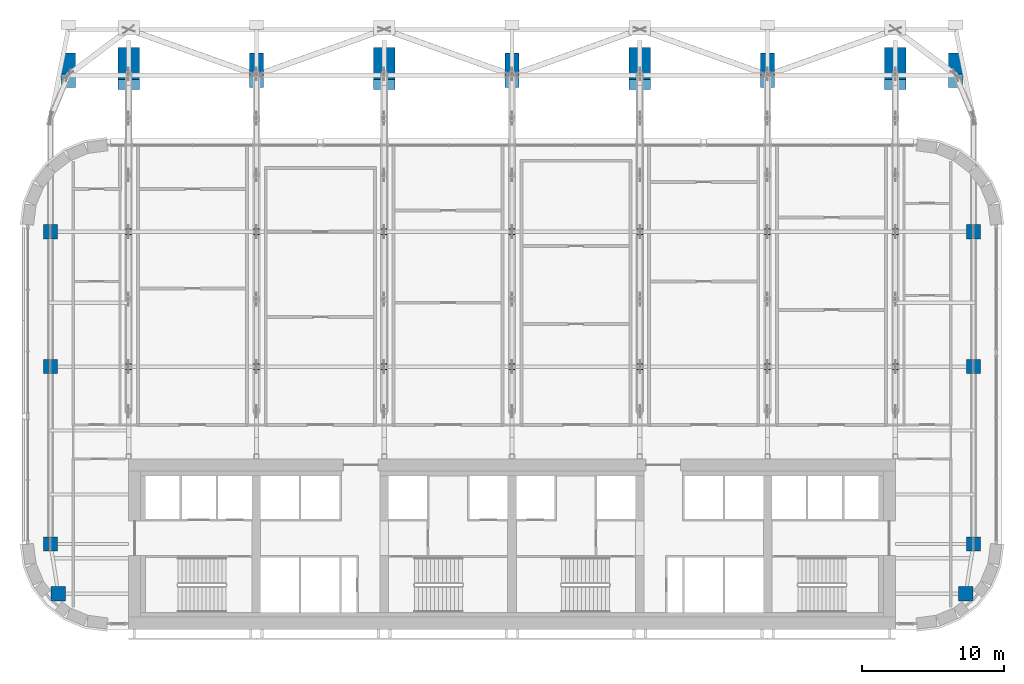
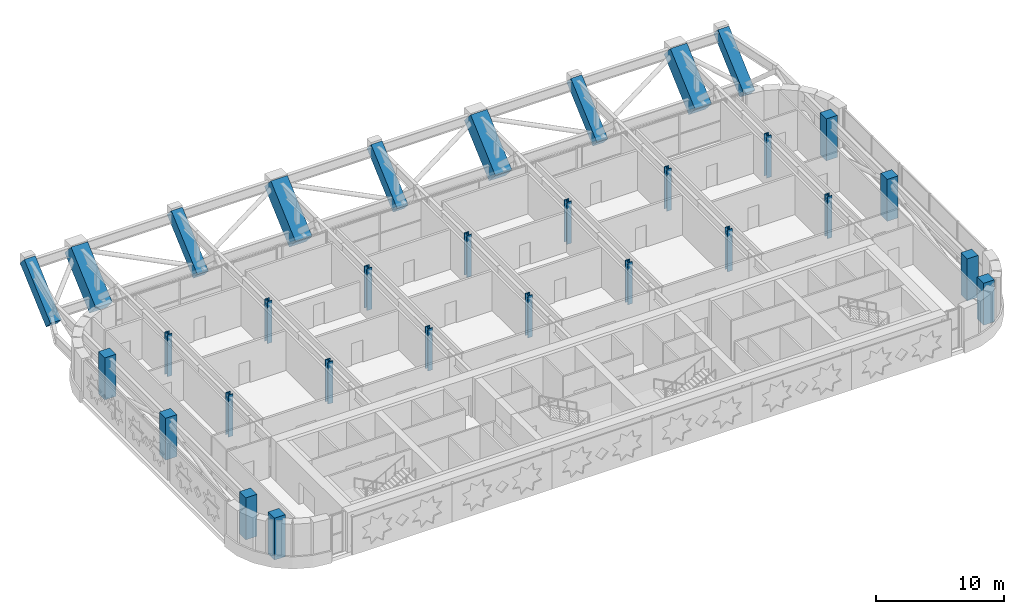
# One storey, part 1 of 23: 31 columns.
"""IFC4 building model written with IfcOpenShell, lengths in metres."""

import ifcopenshell
import ifcopenshell.guid

model = None  # the IFC model being written
_history = None  # IfcOwnerHistory: only IFC2X3 demands one
_inside = {}  # id of a spatial element -> (the spatial element, [elements in it])
_under = {}  # id of a project, library or spatial element -> (it, [spatial elements below it])
_declared = {}  # id of a project -> (the project, [libraries it declares])
_typed = {}  # id of a type object -> (the type object, [elements of that type])
_made_of = {}  # id of a material, layer set ... -> (it, [elements and type objects made of it])


def new_model(schema):
    """Start an empty IFC model of exactly this schema.

    Asked for "IFC4X3", IfcOpenShell would pick the latest addendum, in which some entities
    have other attributes; the version numbers below select the first issue.
    IFC2X3 requires an IfcOwnerHistory on every rooted entity: one is made here for all.
    """
    global model, _history
    if schema == "IFC4X3":
        model = ifcopenshell.file(schema_version=(4, 3, 0, 0))
    else:
        model = ifcopenshell.file(schema=schema)
    _inside.clear()
    _under.clear()
    _declared.clear()
    _typed.clear()
    _made_of.clear()
    _history = None
    if model.schema == "IFC2X3":
        org = make("IfcOrganization", Name="unknown")
        user = make(
            "IfcPersonAndOrganization",
            ThePerson=make("IfcPerson", FamilyName="unknown"),
            TheOrganization=org,
        )
        app = make(
            "IfcApplication",
            ApplicationDeveloper=org,
            Version="unknown",
            ApplicationFullName="unknown",
            ApplicationIdentifier="unknown",
        )
        _history = make(
            "IfcOwnerHistory",
            OwningUser=user,
            OwningApplication=app,
            ChangeAction="ADDED",
            CreationDate=0,
        )
    return model


def make(cls, **values):
    """One entity of the class cls with the attributes given. An attribute that is None is left unset."""
    return model.create_entity(
        cls, **{name: value for name, value in values.items() if value is not None}
    )


def rooted(cls, **values):
    """An entity with a GlobalId (a new one), such as an element, a storey or a relation."""
    return make(cls, GlobalId=ifcopenshell.guid.new(), OwnerHistory=_history, **values)


def si_unit(unit_type, name, prefix=None):
    """IfcSIUnit, for example si_unit("LENGTHUNIT", "METRE", prefix="MILLI")."""
    return make("IfcSIUnit", UnitType=unit_type, Prefix=prefix, Name=name)


def assignment(units):
    """IfcUnitAssignment: the units of a project."""
    return None if units is None else make("IfcUnitAssignment", Units=units)


def point(xyz):
    """IfcCartesianPoint."""
    return None if xyz is None else make("IfcCartesianPoint", Coordinates=xyz)


def direction(xyz):
    """IfcDirection."""
    return None if xyz is None else make("IfcDirection", DirectionRatios=xyz)


def frame(location, z_axis=None, x_axis=None):
    """IfcAxis2Placement3D, a coordinate frame: its origin and axes. An axis left out is left unset."""
    return make(
        "IfcAxis2Placement3D",
        Location=point(location),
        Axis=direction(z_axis),
        RefDirection=direction(x_axis),
    )


def frame_2d(location, x_axis=None):
    """IfcAxis2Placement2D, a coordinate frame in the plane: its origin and x axis."""
    return make(
        "IfcAxis2Placement2D", Location=point(location), RefDirection=direction(x_axis)
    )


def origin():
    """The frame at (0, 0, 0) with its axes left unset."""
    return frame((0.0, 0.0, 0.0))


def origin_2d():
    """The frame at (0, 0) in the plane with its x axis left unset."""
    return frame_2d((0.0, 0.0))


def place(relative_to, where):
    """IfcLocalPlacement: puts the frame where relative to a parent placement (None: the world)."""
    return make(
        "IfcLocalPlacement", PlacementRelTo=relative_to, RelativePlacement=where
    )


def context(
    kind, dimensions, precision=None, world=None, true_north=None, identifier=None
):
    """IfcGeometricRepresentationContext, for example the 3D "Model" context."""
    return make(
        "IfcGeometricRepresentationContext",
        ContextIdentifier=identifier,
        ContextType=kind,
        CoordinateSpaceDimension=dimensions,
        Precision=precision,
        WorldCoordinateSystem=world,
        TrueNorth=true_north,
    )


def subcontext(parent, identifier, kind, view, scale=None):
    """IfcGeometricRepresentationSubContext, for example "Body" below "Model"."""
    return make(
        "IfcGeometricRepresentationSubContext",
        ContextIdentifier=identifier,
        ContextType=kind,
        ParentContext=parent,
        TargetScale=scale,
        TargetView=view,
    )


def project(units=None, contexts=None):
    """IfcProject with its units and contexts."""
    return rooted(
        "IfcProject",
        Name="project",
        RepresentationContexts=contexts,
        UnitsInContext=assignment(units),
    )


def spatial(cls, under=None, at=None, **own):
    """A site, building, storey or space (cls), placed at a placement, below another one or the project."""
    s = rooted(cls, ObjectPlacement=at, **own)
    if under is not None:
        _under.setdefault(under.id(), (under, []))[1].append(s)
    return s


def profile(cls, at=None, kind="AREA", **sizes):
    """A parametric profile (cls). Its sizes go by their IFC names, for example OverallWidth=200.0."""
    return make(cls, ProfileType=kind, Position=at, **sizes)


def rectangle(**sizes):
    """IfcRectangleProfileDef."""
    return profile("IfcRectangleProfileDef", **sizes)


def i_section(**sizes):
    """IfcIShapeProfileDef."""
    return profile("IfcIShapeProfileDef", **sizes)


def extrude(swept, where, along, depth):
    """IfcExtrudedAreaSolid: the profile swept, set in the frame where, extruded along a direction by depth."""
    return make(
        "IfcExtrudedAreaSolid",
        SweptArea=swept,
        Position=where,
        ExtrudedDirection=direction(along),
        Depth=depth,
    )


def clip(a, b, op="DIFFERENCE"):
    """IfcBooleanClippingResult: the solid a cut by the half space b."""
    return make(
        "IfcBooleanClippingResult", Operator=op, FirstOperand=a, SecondOperand=b
    )


def halfspace(plane, agree):
    """IfcHalfSpaceSolid: all space on one side of the plane z = 0 of the frame plane."""
    return make(
        "IfcHalfSpaceSolid",
        BaseSurface=make("IfcPlane", Position=plane),
        AgreementFlag=agree,
    )


def shape(context_of_items, identifier, shape_type, items):
    """IfcShapeRepresentation: the items that make up one representation, for example the "Body"."""
    return make(
        "IfcShapeRepresentation",
        ContextOfItems=context_of_items,
        RepresentationIdentifier=identifier,
        RepresentationType=shape_type,
        Items=items,
    )


def material(Name=None, Category=None):
    """IfcMaterial."""
    return make("IfcMaterial", Name=Name, Category=Category)


def material_profile(
    of_material, cross_section, Name=None, Category=None, Priority=None
):
    """IfcMaterialProfile: a cross section and its material."""
    return make(
        "IfcMaterialProfile",
        Name=Name,
        Material=of_material,
        Profile=cross_section,
        Priority=Priority,
        Category=Category,
    )


def profile_set(profiles, Name=None, composite=None):
    """IfcMaterialProfileSet."""
    return make(
        "IfcMaterialProfileSet",
        Name=Name,
        MaterialProfiles=profiles,
        CompositeProfile=composite,
    )


def made_of(thing, what):
    """Note that an element or type object is made of a material, layer set ...; save() writes the relation."""
    if what is not None:
        _made_of.setdefault(what.id(), (what, []))[1].append(thing)
    return thing


def type_object(cls, material=None, **own):
    """A type object (cls), such as IfcWallType, which elements share."""
    return made_of(rooted(cls, **own), material)


def element(
    cls,
    number,
    at=None,
    inside=None,
    cuts=None,
    type_object=None,
    material=None,
    context=None,
    identifier="Body",
    shape_type=None,
    held_by="IfcProductDefinitionShape",
    body=None,
    shapes=None,
    **own,
):
    """One element of the class cls, such as IfcWall. Its Tag is "e" and its number.

    at: its placement. inside: the storey or other place that contains it. cuts: it is an
    opening in that element (IfcRelVoidsElement). A single representation is given by context,
    identifier, shape_type and body (its items); several are given by shapes. held_by: the class
    of the entity that holds the representations. save() writes the other relations.
    """
    e = rooted(cls, Tag="e%d" % number, ObjectPlacement=at, **own)
    if body is not None:
        shapes = [shape(context, identifier, shape_type, body)]
    if shapes is not None:
        e.Representation = make(held_by, Representations=shapes)
    if inside is not None:
        _inside.setdefault(inside.id(), (inside, []))[1].append(e)
    if cuts is not None:
        rooted(
            "IfcRelVoidsElement", RelatingBuildingElement=cuts, RelatedOpeningElement=e
        )
    if type_object is not None:
        _typed.setdefault(type_object.id(), (type_object, []))[1].append(e)
    return made_of(e, material)


def aggregate(whole, parts):
    """IfcRelAggregates: a whole, such as a stair, and the parts it consists of."""
    return rooted("IfcRelAggregates", RelatingObject=whole, RelatedObjects=parts)


def save(model, path):
    """Write the relations noted so far, then the file.

    IfcRelAggregates (storeys below a building ...), IfcRelContainedInSpatialStructure (elements
    in a storey), IfcRelDefinesByType, IfcRelAssociatesMaterial and IfcRelDeclares: one each for
    every whole, place, type object, material and project.
    """
    for whole, parts in _under.values():
        aggregate(whole, parts)
    for where, things in _inside.values():
        rooted(
            "IfcRelContainedInSpatialStructure",
            RelatedElements=things,
            RelatingStructure=where,
        )
    for kind, things in _typed.values():
        rooted("IfcRelDefinesByType", RelatedObjects=things, RelatingType=kind)
    for what, things in _made_of.values():
        rooted("IfcRelAssociatesMaterial", RelatedObjects=things, RelatingMaterial=what)
    for by, libraries in _declared.values():
        rooted("IfcRelDeclares", RelatingContext=by, RelatedDefinitions=libraries)
    model.write(path)


model = new_model("IFC4")

# Units and contexts
model_context = context("Model", 3, precision=1e-05, world=origin(), true_north=direction((0.0, 1.0)))
body_context = subcontext(model_context, "Body", "Model", "MODEL_VIEW")
ifc_project = project(units=[si_unit("LENGTHUNIT", "METRE"), si_unit("AREAUNIT", "SQUARE_METRE"), si_unit("VOLUMEUNIT", "CUBIC_METRE"), si_unit("PLANEANGLEUNIT", "RADIAN"), si_unit("MASSUNIT", "GRAM", prefix="KILO")], contexts=[model_context])

# Site, building, storey
site_placement = place(None, origin())
site = spatial("IfcSite", under=ifc_project, at=site_placement, CompositionType="ELEMENT")
building_placement = place(site_placement, origin())
building = spatial("IfcBuilding", under=site, at=building_placement, Name="Zellij Exchange Tower", CompositionType="ELEMENT")
storey_placement = place(building_placement, frame((0.0, 0.0, 160.5)))
storey = spatial("IfcBuildingStorey", under=building, at=storey_placement, Name="L36", CompositionType="ELEMENT", Elevation=160.5)

# Columns
ifc_material_1 = material(Name="Concrete C60/75", Category="concrete")
ifc_material_profile_1 = material_profile(ifc_material_1, rectangle(XDim=1.0, YDim=1.0, at=origin_2d()), Name="STR-COLUMN RC1000x1000 C60/75")
ifc_profile_set_1 = profile_set([ifc_material_profile_1], Name="Concrete C60/75")
column_type_1 = type_object("IfcColumnType", Name="STR-COLUMN RC1000x1000 C60/75", PredefinedType="COLUMN", material=ifc_profile_set_1)
for number, where, z_axis, x_axis, name in (
    (1, (-31.949951171875, -11.5, 0.0), (0.0, 0.0, 1.0), (1.0, 0.0, 0.0), "C9"),
    (2, (31.949951171875, -11.5, 0.0), (0.0, 0.0, 1.0), (1.0, 0.0, 0.0), "C9"),
    (3, (-32.5, -8.0, 0.0), (0.0, 0.0, 1.0), (1.0, 0.0, 0.0), "C9"),
    (4, (32.5, -8.0, 0.0), (0.0, 0.0, 1.0), (1.0, 0.0, 0.0), "C9"),
    (5, (-32.5, 4.5, 0.0), (0.0, 0.0, 1.0), (1.0, 0.0, 0.0), "C9"),
    (6, (32.5, 4.5, 0.0), (0.0, 0.0, 1.0), (1.0, 0.0, 0.0), "C9"),
    (7, (-32.5, 14.0, 0.0), (0.0, 0.0, 1.0), (1.0, 0.0, 0.0), "C9"),
    (8, (32.5, 14.0, 0.0), (0.0, 0.0, 1.0), (1.0, 0.0, 0.0), "C9"),
):
    element("IfcColumn", number, at=place(storey_placement, frame(where, z_axis=z_axis, x_axis=x_axis)), inside=storey, type_object=column_type_1, Name=name, PredefinedType="COLUMN", context=body_context, shape_type="SweptSolid", body=[
        extrude(rectangle(XDim=1.0, YDim=1.0, at=origin_2d()), origin(), (0.0, 0.0, 1.0), 4.0),
    ])
for number, where, z_axis, x_axis, name in (
    (9, (-31.25, 24.5, 0.0), (0.0, 0.747409318684, 0.66436383883), (-1.0, 0.0, 0.0), "C9"),
    (10, (-18.0, 24.5, 0.0), (0.0, 0.747409318684, 0.66436383883), (-1.0, 0.0, 0.0), "C9"),
    (11, (0.0, 24.5, 0.0), (0.0, 0.747409318684, 0.66436383883), (-1.0, 0.0, 0.0), "C9"),
    (12, (18.0, 24.5, 0.0), (0.0, 0.747409318684, 0.66436383883), (-1.0, 0.0, 0.0), "C9"),
    (13, (31.25, 24.5, 0.0), (0.0, 0.747409318684, 0.66436383883), (-1.0, 0.0, 0.0), "C9"),
):
    element("IfcColumn", number, at=place(storey_placement, frame(where, z_axis=z_axis, x_axis=x_axis)), inside=storey, type_object=column_type_1, Name=name, PredefinedType="COLUMN", context=body_context, shape_type="Clipping", body=[
        clip(extrude(rectangle(XDim=1.0, YDim=1.0, at=origin_2d()), origin(), (0.0, 0.0, 1.0), 6.020751953125), halfspace(frame((0.0, 0.0, 5.458251953125)), False)),
    ])
ifc_material_2 = material(Name="Structural steel ASTM A913 Gr 65", Category="steel")
ifc_material_profile_2 = material_profile(ifc_material_2, i_section(OverallWidth=0.419189453125, OverallDepth=0.45458984375, WebThickness=0.042236328125, FlangeThickness=0.067626953125, at=origin_2d()), Name="W14x370")
ifc_profile_set_2 = profile_set([ifc_material_profile_2], Name="Structural steel ASTM A913 Gr 65")
column_type_2 = type_object("IfcColumnType", Name="STR-COLUMN W14x370", PredefinedType="COLUMN", material=ifc_profile_set_2)
for number, where, z_axis, x_axis, name in (
    (14, (-27.0, 4.5, 0.0), (0.0, 0.0, 1.0), (1.0, 0.0, 0.0), "C4"),
    (15, (-18.0, 4.5, 0.0), (0.0, 0.0, 1.0), (1.0, 0.0, 0.0), "C4"),
    (16, (-9.0, 4.5, 0.0), (0.0, 0.0, 1.0), (1.0, 0.0, 0.0), "C4"),
    (17, (0.0, 4.5, 0.0), (0.0, 0.0, 1.0), (1.0, 0.0, 0.0), "C4"),
    (18, (9.0, 4.5, 0.0), (0.0, 0.0, 1.0), (1.0, 0.0, 0.0), "C4"),
    (19, (18.0, 4.5, 0.0), (0.0, 0.0, 1.0), (1.0, 0.0, 0.0), "C4"),
    (20, (27.0, 4.5, 0.0), (0.0, 0.0, 1.0), (1.0, 0.0, 0.0), "C4"),
    (21, (-27.0, 14.0, 0.0), (0.0, 0.0, 1.0), (1.0, 0.0, 0.0), "C4"),
    (22, (-18.0, 14.0, 0.0), (0.0, 0.0, 1.0), (1.0, 0.0, 0.0), "C4"),
    (23, (-9.0, 14.0, 0.0), (0.0, 0.0, 1.0), (1.0, 0.0, 0.0), "C4"),
    (24, (0.0, 14.0, 0.0), (0.0, 0.0, 1.0), (1.0, 0.0, 0.0), "C4"),
    (25, (9.0, 14.0, 0.0), (0.0, 0.0, 1.0), (1.0, 0.0, 0.0), "C4"),
    (26, (18.0, 14.0, 0.0), (0.0, 0.0, 1.0), (1.0, 0.0, 0.0), "C4"),
    (27, (27.0, 14.0, 0.0), (0.0, 0.0, 1.0), (1.0, 0.0, 0.0), "C4"),
):
    element("IfcColumn", number, at=place(storey_placement, frame(where, z_axis=z_axis, x_axis=x_axis)), inside=storey, type_object=column_type_2, Name=name, PredefinedType="COLUMN", context=body_context, shape_type="SweptSolid", body=[
        extrude(i_section(OverallWidth=0.419189453125, OverallDepth=0.45458984375, WebThickness=0.042236328125, FlangeThickness=0.067626953125, at=origin_2d()), origin(), (0.0, 0.0, 1.0), 4.0),
    ])
ifc_material_profile_3 = material_profile(ifc_material_1, rectangle(XDim=1.5, YDim=1.5, at=origin_2d()), Name="STR-MEGA COLUMN RC1500x1500 C60/75")
ifc_profile_set_3 = profile_set([ifc_material_profile_3], Name="Concrete C60/75")
column_type_3 = type_object("IfcColumnType", Name="STR-MEGA COLUMN RC1500x1500 C60/75", PredefinedType="COLUMN", material=ifc_profile_set_3)
for number, where, z_axis, x_axis, name in (
    (28, (-27.0, 24.5, 0.0), (0.0, 0.747409318684, 0.66436383883), (-1.0, 0.0, 0.0), "MC4"),
    (29, (-9.0, 24.5, 0.0), (0.0, 0.747409318684, 0.66436383883), (-1.0, 0.0, 0.0), "MC4"),
    (30, (9.0, 24.5, 0.0), (0.0, 0.747409318684, 0.66436383883), (-1.0, 0.0, 0.0), "MC4"),
    (31, (27.0, 24.5, 0.0), (0.0, 0.747409318684, 0.66436383883), (-1.0, 0.0, 0.0), "MC4"),
):
    element("IfcColumn", number, at=place(storey_placement, frame(where, z_axis=z_axis, x_axis=x_axis)), inside=storey, type_object=column_type_3, Name=name, PredefinedType="COLUMN", context=body_context, shape_type="Clipping", body=[
        clip(extrude(rectangle(XDim=1.5, YDim=1.5, at=origin_2d()), origin(), (0.0, 0.0, 1.0), 6.020751953125), halfspace(frame((0.0, 0.0, 5.177001953125)), False)),
    ])

save(model, "model.ifc")
